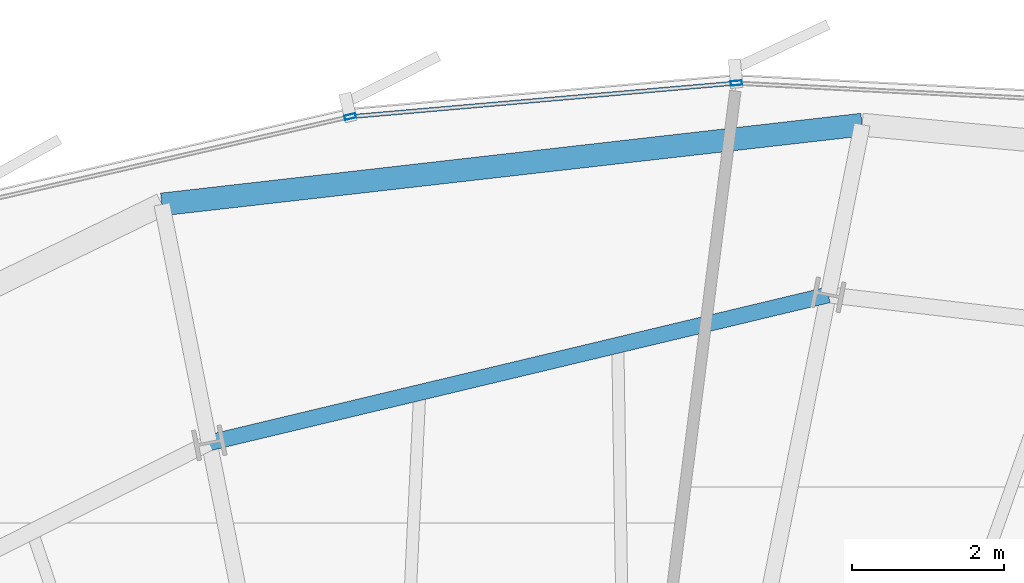
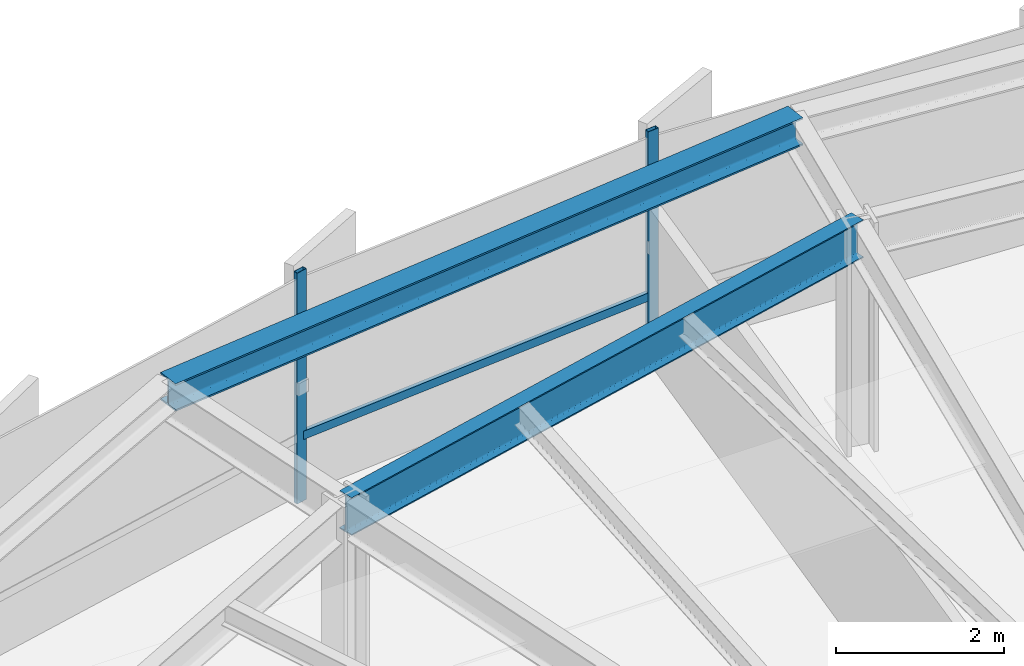
# One storey, part 22 of 35: 3 members, 2 beams, 1 element without a shape of its own.
"""IFC4 building model written with IfcOpenShell, lengths in metres."""

from ifc_helpers import new_model, si_unit, direction, frame, origin, origin_2d, place, context, subcontext, project, spatial, hollow_rectangle, i_section, extrude, source, transform, mapped, material, layer, layer_set, material_profile, profile_set, type_object, element, aggregate, save


model = new_model("IFC4")

# Units and contexts
model_context = context("Model", 3, precision=1e-05, world=origin(), true_north=direction((0.0, 1.0)))
body_context = subcontext(model_context, "Body", "Model", "MODEL_VIEW")
ifc_project = project(units=[si_unit("LENGTHUNIT", "METRE"), si_unit("AREAUNIT", "SQUARE_METRE"), si_unit("VOLUMEUNIT", "CUBIC_METRE"), si_unit("PLANEANGLEUNIT", "RADIAN"), si_unit("MASSUNIT", "GRAM", prefix="KILO"), si_unit("THERMODYNAMICTEMPERATUREUNIT", "KELVIN")], contexts=[model_context])

# Site, building, storey
site_placement = place(None, origin())
site = spatial("IfcSite", under=ifc_project, at=site_placement, CompositionType="ELEMENT")
building_placement = place(site_placement, origin())
building = spatial("IfcBuilding", under=site, at=building_placement, Name="Kethvar Cultural Tower", CompositionType="ELEMENT")
storey_placement = place(building_placement, frame((0.0, 0.0, 103.60009765625)))
storey = spatial("IfcBuildingStorey", under=building, at=storey_placement, Name="L25", CompositionType="ELEMENT", Elevation=103.60009765625)

# Beams
ifc_material_1 = material(Name="Steel S355J2", Category="steel")
ifc_material_profile_1 = material_profile(ifc_material_1, i_section(OverallWidth=0.2099609375, OverallDepth=0.550048828125, WebThickness=0.010986328125, FlangeThickness=0.01708984375, FilletRadius=0.02392578125, at=origin_2d()), Name="Steel S355J2 — IPE550")
ifc_profile_set_1 = profile_set([ifc_material_profile_1], Name="Steel S355J2 — IPE550")
beam_type_1 = type_object("IfcBeamType", Name="BM-IPE550", PredefinedType="BEAM", material=ifc_profile_set_1)
shared_shape_1 = source(origin(), body_context, "Body", "SweptSolid", [
    extrude(i_section(OverallWidth=0.2099609375, OverallDepth=0.550048828125, WebThickness=0.010986328125, FlangeThickness=0.01708984375, FilletRadius=0.02392578125, at=origin_2d()), origin(), (0.0, 0.0, 1.0), 8.379150390625),
])
beam_1_placement = place(storey_placement, frame((51.068603515625, 49.25927734375, 3.072998046875), z_axis=(-0.972601380857, -0.232479147355, 0.0), x_axis=(0.232479147355, -0.972601380857, 0.0)))
element("IfcBeam", 1, at=beam_1_placement, inside=storey, type_object=beam_type_1, Name="L25 Column Ring Tie Beam CR-04", PredefinedType="BEAM", context=body_context, shape_type="MappedRepresentation", body=[
    mapped(shared_shape_1, transform((0.0, 0.0, 0.0), scale=1.0)),
])
ifc_material_profile_2 = material_profile(ifc_material_1, i_section(OverallWidth=0.300048828125, OverallDepth=0.39990234375, WebThickness=0.013427734375, FlangeThickness=0.02392578125, FilletRadius=0.027099609375, at=origin_2d()), Name="Steel S355J2 — HEB400")
ifc_profile_set_2 = profile_set([ifc_material_profile_2], Name="Steel S355J2 — HEB400")
beam_type_2 = type_object("IfcBeamType", Name="BM-SP400", PredefinedType="SPANDREL", material=ifc_profile_set_2)
shared_shape_2 = source(origin(), body_context, "Body", "SweptSolid", [
    extrude(i_section(OverallWidth=0.300048828125, OverallDepth=0.39990234375, WebThickness=0.013427734375, FlangeThickness=0.02392578125, FilletRadius=0.027099609375, at=origin_2d()), origin(), (0.0, 0.0, 1.0), 9.279296875),
])
beam_2_placement = place(storey_placement, frame((51.514404296875, 51.500244140625, 3.14794921875), z_axis=(-0.99357086226, -0.113211932536, 0.0), x_axis=(0.113211932536, -0.99357086226, 0.0)))
element("IfcBeam", 2, at=beam_2_placement, inside=storey, type_object=beam_type_2, Name="L25 Perimeter Spandrel Beam SP-04", PredefinedType="SPANDREL", context=body_context, shape_type="MappedRepresentation", body=[
    mapped(shared_shape_2, transform((0.0, 0.0, 0.0), scale=1.0)),
])

# Curtain wall, members
ifc_material_2 = material(Name="Aluminium 6063-T6", Category="aluminium")
ifc_layer = layer(ifc_material_2, 0.179931640625, Name="Aluminium 6063-T6", Category="aluminium")
ifc_layer_set = layer_set([ifc_layer], Name="Aluminium 6063-T6 (180 mm)")
curtain_wall_type = type_object("IfcCurtainWallType", Name="CW-SYS-03-Z2", PredefinedType="NOTDEFINED", material=ifc_layer_set)
curtain_wall_placement = place(storey_placement, origin())
curtain_wall = element("IfcCurtainWall", 3, at=curtain_wall_placement, inside=storey, type_object=curtain_wall_type, Name="L25 Curtain Wall Run 02", PredefinedType="NOTDEFINED")
ifc_material_profile_3 = material_profile(ifc_material_2, hollow_rectangle(XDim=0.06005859375, YDim=0.14990234375, WallThickness=0.0048828125, at=origin_2d()), Name="Aluminium 6063-T6 — RHS150x60x5")
ifc_profile_set_3 = profile_set([ifc_material_profile_3], Name="Aluminium 6063-T6 — RHS150x60x5")
member_type_1 = type_object("IfcMemberType", Name="CW-SYS-03-Z2-MUL", PredefinedType="MULLION", material=ifc_profile_set_3)
shared_shape_3 = source(origin(), body_context, "Body", "SweptSolid", [
    extrude(hollow_rectangle(XDim=0.06005859375, YDim=0.14990234375, WallThickness=0.0048828125, at=origin_2d()), origin(), (0.0, 0.0, 1.0), 3.349853515625),
])
member_1_placement = place(storey_placement, frame((49.8583984375, 52.047607421875, 0.0), z_axis=(0.0, 0.0, 1.0), x_axis=(0.086807999895, -0.996225060493, 0.0)))
member_1 = element("IfcMember", 4, at=member_1_placement, type_object=member_type_1, Name="CW-L25-R02 Mullion 2", PredefinedType="MULLION", context=body_context, shape_type="MappedRepresentation", body=[
    mapped(shared_shape_3, transform((0.0, 0.0, 0.0), scale=1.0)),
])
member_2_placement = place(storey_placement, frame((44.7744140625, 51.605712890625, 0.0), z_axis=(0.0, 0.0, 1.0), x_axis=(0.225257150622, -0.974299346245, 0.0)))
member_2 = element("IfcMember", 5, at=member_2_placement, type_object=member_type_1, Name="CW-L25-R02 Mullion 3", PredefinedType="MULLION", context=body_context, shape_type="MappedRepresentation", body=[
    mapped(shared_shape_3, transform((0.0, 0.0, 0.0), scale=1.0)),
])
ifc_material_profile_4 = material_profile(ifc_material_2, hollow_rectangle(XDim=0.054931640625, YDim=0.1201171875, WallThickness=0.00390625, at=origin_2d()), Name="Aluminium 6063-T6 — RHS120x55x4")
ifc_profile_set_4 = profile_set([ifc_material_profile_4], Name="Aluminium 6063-T6 — RHS120x55x4")
member_type_2 = type_object("IfcMemberType", Name="CW-SYS-03-Z2-TRN", PredefinedType="USERDEFINED", material=ifc_profile_set_4)
shared_shape_4 = source(origin(), body_context, "Body", "SweptSolid", [
    extrude(hollow_rectangle(XDim=0.054931640625, YDim=0.1201171875, WallThickness=0.00390625, at=origin_2d()), origin(), (0.0, 0.0, 1.0), 5.032958984375),
])
member_3_placement = place(storey_placement, frame((49.8154296875, 52.0439453125, 0.949951171875), z_axis=(-0.996223093877, -0.0868305662, 0.0), x_axis=(0.0868305662, -0.996223093877, 0.0)))
member_3 = element("IfcMember", 6, at=member_3_placement, type_object=member_type_2, Name="CW-L25-R02 Transom 2", ObjectType="TRANSOM", PredefinedType="USERDEFINED", context=body_context, shape_type="MappedRepresentation", body=[
    mapped(shared_shape_4, transform((0.0, 0.0, 0.0), scale=1.0)),
])
aggregate(curtain_wall, [member_1, member_2, member_3])

save(model, "model.ifc")
